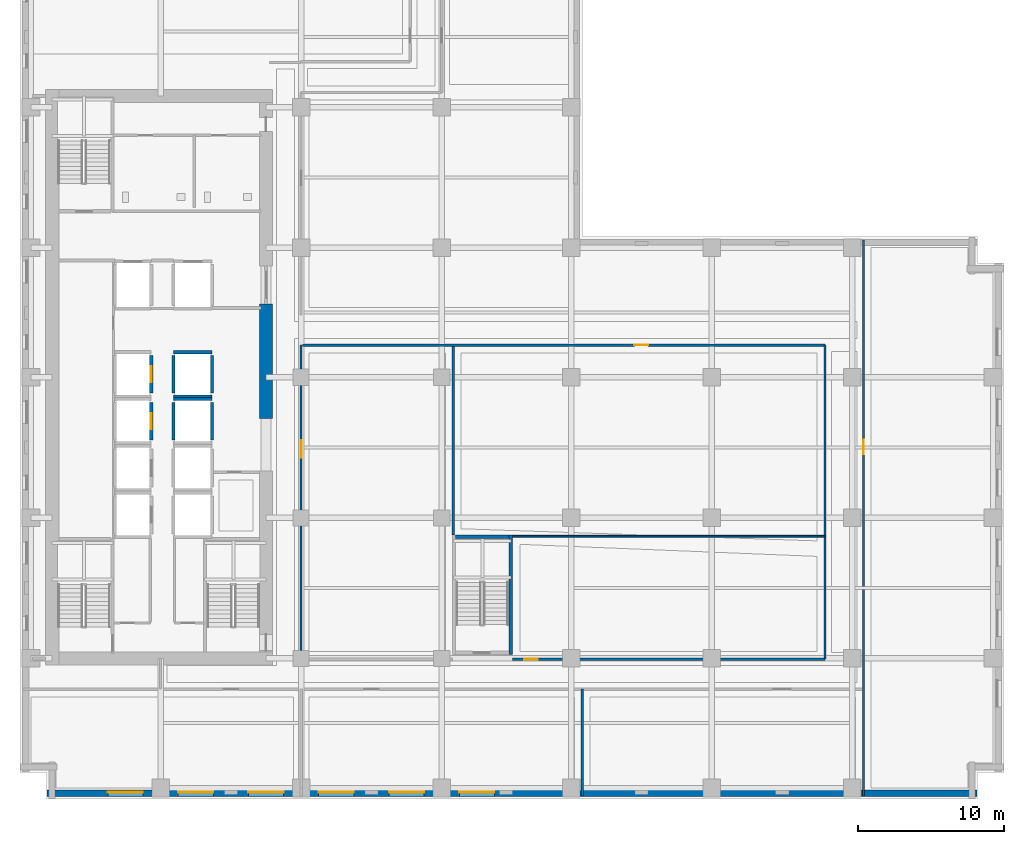
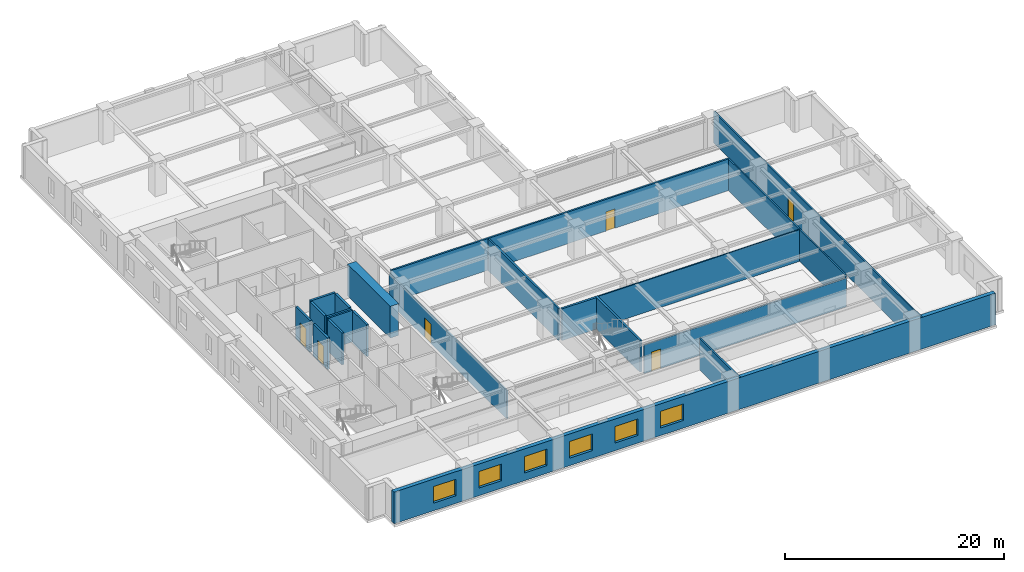
# One storey, part 5 of 13: 21 walls, 6 doors, 6 windows, 12 openings.
"""IFC4 building model written with IfcOpenShell, lengths in metres."""

from ifc_helpers import new_model, si_unit, direction, frame, frame_2d, origin, place, context, subcontext, project, spatial, rectangle, extrude, material, layer, layer_set, type_object, element, fill, save


model = new_model("IFC4")

# Units and contexts
model_context = context("Model", 3, precision=1e-05, world=origin(), true_north=direction((0.0, 1.0)))
body_context = subcontext(model_context, "Body", "Model", "MODEL_VIEW")
ifc_project = project(units=[si_unit("LENGTHUNIT", "METRE"), si_unit("AREAUNIT", "SQUARE_METRE"), si_unit("VOLUMEUNIT", "CUBIC_METRE"), si_unit("PLANEANGLEUNIT", "RADIAN"), si_unit("MASSUNIT", "GRAM", prefix="KILO")], contexts=[model_context])

# Site, building, storey
site_placement = place(None, origin())
site = spatial("IfcSite", under=ifc_project, at=site_placement, CompositionType="ELEMENT")
building_placement = place(site_placement, origin())
building = spatial("IfcBuilding", under=site, at=building_placement, Name="Norrvale University Quadrangle", CompositionType="ELEMENT")
storey_placement = place(building_placement, frame((0.0, 0.0, 47.0)))
storey = spatial("IfcBuildingStorey", under=building, at=storey_placement, Name="L11", CompositionType="ELEMENT", Elevation=47.0)

# Wall, openings, windows
ifc_material_1 = material(Name="Buff Norman Clay Brick Masonry", Category="masonry")
ifc_layer_1 = layer(ifc_material_1, 0.419921875, Name="Buff Norman Clay Brick Masonry")
ifc_layer_set_1 = layer_set([ifc_layer_1], Name="Buff Norman Clay Brick Masonry")
wall_type_1 = type_object("IfcWallType", Name="Wall Buff Brick 420", PredefinedType="SOLIDWALL", material=ifc_layer_set_1)
wall_1_placement = place(storey_placement, frame((1.840087890625, 0.389892578125, 0.0), z_axis=(0.0, 0.0, 1.0), x_axis=(1.0, 0.0, 0.0)))
wall_1 = element("IfcWall", 1, at=wall_1_placement, inside=storey, type_object=wall_type_1, Name="Exterior Brick Facade Wall L11-01.1", PredefinedType="SOLIDWALL", context=body_context, shape_type="SweptSolid", body=[
    extrude(rectangle(XDim=63.52001953125, YDim=0.419921875, at=frame_2d((31.760009765625, 0.0))), origin(), (0.0, 0.0, 1.0), 3.5400390625),
])
opening_1_placement = place(wall_1_placement, frame((4.159912109375, 0.0, 0.85009765625)))
opening_1 = element("IfcOpeningElement", 2, at=opening_1_placement, cuts=wall_1, Name="Opening W02", PredefinedType="OPENING", context=body_context, shape_type="SweptSolid", body=[
    extrude(rectangle(XDim=2.39990234375, YDim=1.85009765625, at=frame_2d((1.199951171875, 0.925048828125))), frame((0.0, 0.221923828125, 0.0), z_axis=(0.0, -1.0, 0.0), x_axis=(1.0, 0.0, 0.0)), (0.0, 0.0, 1.0), 0.44384765625),
])
opening_2_placement = place(wall_1_placement, frame((8.9599609375, 0.0, 0.85009765625)))
opening_2 = element("IfcOpeningElement", 3, at=opening_2_placement, cuts=wall_1, Name="Opening W02", PredefinedType="OPENING", context=body_context, shape_type="SweptSolid", body=[
    extrude(rectangle(XDim=2.39990234375, YDim=1.85009765625, at=frame_2d((1.199951171875, 0.925048828125))), frame((0.0, 0.221923828125, 0.0), z_axis=(0.0, -1.0, 0.0), x_axis=(1.0, 0.0, 0.0)), (0.0, 0.0, 1.0), 0.44384765625),
])
opening_3_placement = place(wall_1_placement, frame((13.760009765625, 0.0, 0.85009765625)))
opening_3 = element("IfcOpeningElement", 4, at=opening_3_placement, cuts=wall_1, Name="Opening W02", PredefinedType="OPENING", context=body_context, shape_type="SweptSolid", body=[
    extrude(rectangle(XDim=2.39990234375, YDim=1.85009765625, at=frame_2d((1.199951171875, 0.925048828125))), frame((0.0, 0.221923828125, 0.0), z_axis=(0.0, -1.0, 0.0), x_axis=(1.0, 0.0, 0.0)), (0.0, 0.0, 1.0), 0.44384765625),
])
opening_4_placement = place(wall_1_placement, frame((18.56005859375, 0.0, 0.85009765625)))
opening_4 = element("IfcOpeningElement", 5, at=opening_4_placement, cuts=wall_1, Name="Opening W02", PredefinedType="OPENING", context=body_context, shape_type="SweptSolid", body=[
    extrude(rectangle(XDim=2.39990234375, YDim=1.85009765625, at=frame_2d((1.199951171875, 0.925048828125))), frame((0.0, 0.221923828125, 0.0), z_axis=(0.0, -1.0, 0.0), x_axis=(1.0, 0.0, 0.0)), (0.0, 0.0, 1.0), 0.44384765625),
])
opening_5_placement = place(wall_1_placement, frame((23.360107421875, 0.0, 0.85009765625)))
opening_5 = element("IfcOpeningElement", 6, at=opening_5_placement, cuts=wall_1, Name="Opening W02", PredefinedType="OPENING", context=body_context, shape_type="SweptSolid", body=[
    extrude(rectangle(XDim=2.39990234375, YDim=1.85009765625, at=frame_2d((1.199951171875, 0.925048828125))), frame((0.0, 0.221923828125, 0.0), z_axis=(0.0, -1.0, 0.0), x_axis=(1.0, 0.0, 0.0)), (0.0, 0.0, 1.0), 0.44384765625),
])
opening_6_placement = place(wall_1_placement, frame((28.159912109375, 0.0, 0.85009765625)))
opening_6 = element("IfcOpeningElement", 7, at=opening_6_placement, cuts=wall_1, Name="Opening W02", PredefinedType="OPENING", context=body_context, shape_type="SweptSolid", body=[
    extrude(rectangle(XDim=2.39990234375, YDim=1.85009765625, at=frame_2d((1.199951171875, 0.925048828125))), frame((0.0, 0.221923828125, 0.0), z_axis=(0.0, -1.0, 0.0), x_axis=(1.0, 0.0, 0.0)), (0.0, 0.0, 1.0), 0.44384765625),
])
ifc_material_2 = material(Name="Triple Low-E Argon Glazing", Category="glass")
window_type = type_object("IfcWindowType", Name="Window Academic 2400x2300", PartitioningType="TRIPLE_PANEL_VERTICAL", PredefinedType="WINDOW", material=ifc_material_2)
window_1_placement = place(opening_1_placement, origin())
window_1 = element("IfcWindow", 8, at=window_1_placement, inside=storey, type_object=window_type, Name="Window Academic 2400x2300 WIN-L11-E01-1-01", OverallHeight=1.85009765625, OverallWidth=2.39990234375, PartitioningType="TRIPLE_PANEL_VERTICAL", PredefinedType="WINDOW", context=body_context, shape_type="SweptSolid", body=[
    extrude(rectangle(XDim=2.39990234375, YDim=1.85009765625, at=frame_2d((1.199951171875, 0.925048828125))), frame((0.0, 0.110107421875, 0.0), z_axis=(0.0, -1.0, 0.0), x_axis=(1.0, 0.0, 0.0)), (0.0, 0.0, 1.0), 0.06005859375),
])
fill(opening_1, window_1)
window_2_placement = place(opening_2_placement, origin())
window_2 = element("IfcWindow", 9, at=window_2_placement, inside=storey, type_object=window_type, Name="Window Academic 2400x2300 WIN-L11-E01-1-02", OverallHeight=1.85009765625, OverallWidth=2.39990234375, PartitioningType="TRIPLE_PANEL_VERTICAL", PredefinedType="WINDOW", context=body_context, shape_type="SweptSolid", body=[
    extrude(rectangle(XDim=2.39990234375, YDim=1.85009765625, at=frame_2d((1.199951171875, 0.925048828125))), frame((0.0, 0.110107421875, 0.0), z_axis=(0.0, -1.0, 0.0), x_axis=(1.0, 0.0, 0.0)), (0.0, 0.0, 1.0), 0.06005859375),
])
fill(opening_2, window_2)
window_3_placement = place(opening_3_placement, origin())
window_3 = element("IfcWindow", 10, at=window_3_placement, inside=storey, type_object=window_type, Name="Window Academic 2400x2300 WIN-L11-E01-1-03", OverallHeight=1.85009765625, OverallWidth=2.39990234375, PartitioningType="TRIPLE_PANEL_VERTICAL", PredefinedType="WINDOW", context=body_context, shape_type="SweptSolid", body=[
    extrude(rectangle(XDim=2.39990234375, YDim=1.85009765625, at=frame_2d((1.199951171875, 0.925048828125))), frame((0.0, 0.110107421875, 0.0), z_axis=(0.0, -1.0, 0.0), x_axis=(1.0, 0.0, 0.0)), (0.0, 0.0, 1.0), 0.06005859375),
])
fill(opening_3, window_3)
window_4_placement = place(opening_4_placement, origin())
window_4 = element("IfcWindow", 11, at=window_4_placement, inside=storey, type_object=window_type, Name="Window Academic 2400x2300 WIN-L11-E01-1-04", OverallHeight=1.85009765625, OverallWidth=2.39990234375, PartitioningType="TRIPLE_PANEL_VERTICAL", PredefinedType="WINDOW", context=body_context, shape_type="SweptSolid", body=[
    extrude(rectangle(XDim=2.39990234375, YDim=1.85009765625, at=frame_2d((1.199951171875, 0.925048828125))), frame((0.0, 0.110107421875, 0.0), z_axis=(0.0, -1.0, 0.0), x_axis=(1.0, 0.0, 0.0)), (0.0, 0.0, 1.0), 0.06005859375),
])
fill(opening_4, window_4)
window_5_placement = place(opening_5_placement, origin())
window_5 = element("IfcWindow", 12, at=window_5_placement, inside=storey, type_object=window_type, Name="Window Academic 2400x2300 WIN-L11-E01-1-05", OverallHeight=1.85009765625, OverallWidth=2.39990234375, PartitioningType="TRIPLE_PANEL_VERTICAL", PredefinedType="WINDOW", context=body_context, shape_type="SweptSolid", body=[
    extrude(rectangle(XDim=2.39990234375, YDim=1.85009765625, at=frame_2d((1.199951171875, 0.925048828125))), frame((0.0, 0.110107421875, 0.0), z_axis=(0.0, -1.0, 0.0), x_axis=(1.0, 0.0, 0.0)), (0.0, 0.0, 1.0), 0.06005859375),
])
fill(opening_5, window_5)
window_6_placement = place(opening_6_placement, origin())
window_6 = element("IfcWindow", 13, at=window_6_placement, inside=storey, type_object=window_type, Name="Window Academic 2400x2300 WIN-L11-E01-1-06", OverallHeight=1.85009765625, OverallWidth=2.39990234375, PartitioningType="TRIPLE_PANEL_VERTICAL", PredefinedType="WINDOW", context=body_context, shape_type="SweptSolid", body=[
    extrude(rectangle(XDim=2.39990234375, YDim=1.85009765625, at=frame_2d((1.199951171875, 0.925048828125))), frame((0.0, 0.110107421875, 0.0), z_axis=(0.0, -1.0, 0.0), x_axis=(1.0, 0.0, 0.0)), (0.0, 0.0, 1.0), 0.06005859375),
])
fill(opening_6, window_6)

# Walls
ifc_material_3 = material(Name="Concrete C80/95", Category="concrete")
ifc_layer_2 = layer(ifc_material_3, 0.89990234375, Name="Concrete C80/95")
ifc_layer_set_2 = layer_set([ifc_layer_2], Name="Concrete C80/95")
wall_type_2 = type_object("IfcWallType", Name="Wall Core 900", PredefinedType="SHEAR", material=ifc_layer_set_2)
wall_2_placement = place(storey_placement, frame((16.800048828125, 26.0, 0.0), z_axis=(0.0, 0.0, 1.0), x_axis=(0.0, 1.0, 0.0)))
element("IfcWall", 14, at=wall_2_placement, inside=storey, type_object=wall_type_2, Name="Tower Core Shear Wall L11-E2", PredefinedType="SHEAR", context=body_context, shape_type="SweptSolid", body=[
    extrude(rectangle(XDim=7.800048828125, YDim=0.89990234375, at=frame_2d((3.89990234375, 0.0))), origin(), (0.0, 0.0, 1.0), 3.5400390625),
])
ifc_material_4 = material(Name="Standard Academic Gypsum Partition")
ifc_layer_3 = layer(ifc_material_4, 0.125, Name="Standard Academic Gypsum Partition")
ifc_layer_set_3 = layer_set([ifc_layer_3], Name="Standard Academic Gypsum Partition")
wall_type_3 = type_object("IfcWallType", Name="Wall Gypsum Academic 125", PredefinedType="PARTITIONING", material=ifc_layer_set_3)
wall_3_placement = place(storey_placement, frame((33.6201171875, 17.93994140625, 0.0), z_axis=(0.0, 0.0, 1.0), x_axis=(1.0, 0.0, 0.0)))
element("IfcWall", 15, at=wall_3_placement, inside=storey, type_object=wall_type_3, Name="Interior Partition WL-L11-ISLH", PredefinedType="PARTITIONING", context=body_context, shape_type="SweptSolid", body=[
    extrude(rectangle(XDim=21.35498046875, YDim=0.125, at=frame_2d((10.677490234375, 0.0))), origin(), (0.0, 0.0, 1.0), 3.5400390625),
])

# Wall, opening, door
ifc_material_5 = material(Name="Fire-Rated Gypsum Stud Partition")
ifc_layer_4 = layer(ifc_material_5, 0.14990234375, Name="Fire-Rated Gypsum Stud Partition")
ifc_layer_set_4 = layer_set([ifc_layer_4], Name="Fire-Rated Gypsum Stud Partition")
wall_type_4 = type_object("IfcWallType", Name="Wall Gypsum Corridor 150", PredefinedType="PARTITIONING", material=ifc_layer_set_4)
wall_4_placement = place(storey_placement, frame((57.60009765625, 0.219970703125, 0.0), z_axis=(0.0, 0.0, 1.0), x_axis=(0.0, 1.0, 0.0)))
wall_4 = element("IfcWall", 16, at=wall_4_placement, inside=storey, type_object=wall_type_4, Name="Interior Partition WL-L11-ECW", PredefinedType="PARTITIONING", context=body_context, shape_type="SweptSolid", body=[
    extrude(rectangle(XDim=37.9599609375, YDim=0.14990234375, at=frame_2d((18.97998046875, 0.0))), origin(), (0.0, 0.0, 1.0), 3.5400390625),
])
opening_7_placement = place(wall_4_placement, frame((23.330078125, 0.0, 0.0)))
opening_7 = element("IfcOpeningElement", 17, at=opening_7_placement, cuts=wall_4, Name="Opening D04", PredefinedType="OPENING", context=body_context, shape_type="SweptSolid", body=[
    extrude(rectangle(XDim=1.0, YDim=2.199951171875, at=frame_2d((0.5, 1.10009765625))), frame((0.0, 0.0869140625, 0.0), z_axis=(0.0, -1.0, 0.0), x_axis=(1.0, 0.0, 0.0)), (0.0, 0.0, 1.0), 0.173828125),
])
ifc_material_6 = material(Name="Solid-Core Oak Fire Door", Category="wood")
door_type_1 = type_object("IfcDoorType", Name="Door Corridor 1000x2200", OperationType="NOTDEFINED", PredefinedType="DOOR", material=ifc_material_6)
door_1_placement = place(opening_7_placement, origin())
door_1 = element("IfcDoor", 18, at=door_1_placement, inside=storey, type_object=door_type_1, Name="Door Corridor 1000x2200 DR-L11-E01", OperationType="SINGLE_SWING_RIGHT", OverallHeight=2.199951171875, OverallWidth=1.0, PredefinedType="DOOR", context=body_context, shape_type="SweptSolid", body=[
    extrude(rectangle(XDim=1.0, YDim=2.199951171875, at=frame_2d((0.5, 1.10009765625))), frame((0.0, 0.02490234375, 0.0), z_axis=(0.0, -1.0, 0.0), x_axis=(1.0, 0.0, 0.0)), (0.0, 0.0, 1.0), 0.050048828125),
])
fill(opening_7, door_1)

wall_5_placement = place(storey_placement, frame((19.199951171875, 9.550048828125, 0.0), z_axis=(0.0, 0.0, 1.0), x_axis=(0.0, 1.0, 0.0)))
wall_5 = element("IfcWall", 19, at=wall_5_placement, inside=storey, type_object=wall_type_4, Name="Interior Partition WL-L11-ISLW", PredefinedType="PARTITIONING", context=body_context, shape_type="SweptSolid", body=[
    extrude(rectangle(XDim=21.449951171875, YDim=0.14990234375, at=frame_2d((10.72509765625, 0.0))), origin(), (0.0, 0.0, 1.0), 3.18408203125),
])
opening_8_placement = place(wall_5_placement, frame((13.75, 0.0, 0.0)))
opening_8 = element("IfcOpeningElement", 20, at=opening_8_placement, cuts=wall_5, Name="Opening D05", PredefinedType="OPENING", context=body_context, shape_type="SweptSolid", body=[
    extrude(rectangle(XDim=1.199951171875, YDim=2.199951171875, at=frame_2d((0.60009765625, 1.10009765625))), frame((0.0, 0.0869140625, 0.0), z_axis=(0.0, -1.0, 0.0), x_axis=(1.0, 0.0, 0.0)), (0.0, 0.0, 1.0), 0.173828125),
])
ifc_material_7 = material(Name="Acoustic Oak Classroom Door", Category="wood")
door_type_2 = type_object("IfcDoorType", Name="Door Classroom 1200x2200", OperationType="NOTDEFINED", PredefinedType="DOOR", material=ifc_material_7)
door_2_placement = place(opening_8_placement, origin())
door_2 = element("IfcDoor", 21, at=door_2_placement, inside=storey, type_object=door_type_2, Name="Door Classroom 1200x2200 DR-L11-IW1", OperationType="SINGLE_SWING_LEFT", OverallHeight=2.199951171875, OverallWidth=1.199951171875, PredefinedType="DOOR", context=body_context, shape_type="SweptSolid", body=[
    extrude(rectangle(XDim=1.199951171875, YDim=2.199951171875, at=frame_2d((0.60009765625, 1.10009765625))), frame((0.0, 0.02490234375, 0.0), z_axis=(0.0, -1.0, 0.0), x_axis=(1.0, 0.0, 0.0)), (0.0, 0.0, 1.0), 0.050048828125),
])
fill(opening_8, door_2)

wall_6_placement = place(storey_placement, frame((33.6201171875, 9.550048828125, 0.0), z_axis=(0.0, 0.0, 1.0), x_axis=(1.0, 0.0, 0.0)))
wall_6 = element("IfcWall", 22, at=wall_6_placement, inside=storey, type_object=wall_type_4, Name="Interior Partition WL-L11-ISLS2", PredefinedType="PARTITIONING", context=body_context, shape_type="SweptSolid", body=[
    extrude(rectangle(XDim=21.35498046875, YDim=0.14990234375, at=frame_2d((10.677490234375, 0.0))), origin(), (0.0, 0.0, 1.0), 3.18408203125),
])
opening_9_placement = place(wall_6_placement, frame((0.800048828125, 0.0, 0.0)))
opening_9 = element("IfcOpeningElement", 23, at=opening_9_placement, cuts=wall_6, Name="Opening D07", PredefinedType="OPENING", context=body_context, shape_type="SweptSolid", body=[
    extrude(rectangle(XDim=0.949951171875, YDim=2.14990234375, at=frame_2d((0.47509765625, 1.074951171875))), frame((0.0, 0.0869140625, 0.0), z_axis=(0.0, -1.0, 0.0), x_axis=(1.0, 0.0, 0.0)), (0.0, 0.0, 1.0), 0.173828125),
])
ifc_material_8 = material(Name="Solid-Core Maple Door", Category="wood")
door_type_3 = type_object("IfcDoorType", Name="Door Office 950x2150", OperationType="NOTDEFINED", PredefinedType="DOOR", material=ifc_material_8)
door_3_placement = place(opening_9_placement, origin())
door_3 = element("IfcDoor", 24, at=door_3_placement, inside=storey, type_object=door_type_3, Name="Door Office 950x2150 DR-L11-ISE", OperationType="SINGLE_SWING_LEFT", OverallHeight=2.14990234375, OverallWidth=0.949951171875, PredefinedType="DOOR", context=body_context, shape_type="SweptSolid", body=[
    extrude(rectangle(XDim=0.949951171875, YDim=2.14990234375, at=frame_2d((0.47509765625, 1.074951171875))), frame((0.0, 0.02490234375, 0.0), z_axis=(0.0, -1.0, 0.0), x_axis=(1.0, 0.0, 0.0)), (0.0, 0.0, 1.0), 0.050048828125),
])
fill(opening_9, door_3)

# Walls
wall_7_placement = place(storey_placement, frame((54.97509765625, 9.550048828125, 0.0), z_axis=(0.0, 0.0, 1.0), x_axis=(0.0, 1.0, 0.0)))
element("IfcWall", 25, at=wall_7_placement, inside=storey, type_object=wall_type_4, Name="Interior Partition WL-L11-ISLE", PredefinedType="PARTITIONING", context=body_context, shape_type="SweptSolid", body=[
    extrude(rectangle(XDim=21.449951171875, YDim=0.14990234375, at=frame_2d((10.72509765625, 0.0))), origin(), (0.0, 0.0, 1.0), 3.5400390625),
])
ifc_material_9 = material(Name="Acoustic Double-Stud Gypsum Partition")
ifc_layer_5 = layer(ifc_material_9, 0.179931640625, Name="Acoustic Double-Stud Gypsum Partition")
ifc_layer_set_5 = layer_set([ifc_layer_5], Name="Acoustic Double-Stud Gypsum Partition")
wall_type_5 = type_object("IfcWallType", Name="Wall Gypsum Lecture 180", PredefinedType="PARTITIONING", material=ifc_layer_set_5)
wall_8_placement = place(storey_placement, frame((29.580078125, 18.02490234375, 0.0), z_axis=(0.0, 0.0, 1.0), x_axis=(0.0, 1.0, 0.0)))
element("IfcWall", 26, at=wall_8_placement, inside=storey, type_object=wall_type_5, Name="Interior Partition WL-L11-ISLD", PredefinedType="PARTITIONING", context=body_context, shape_type="SweptSolid", body=[
    extrude(rectangle(XDim=12.880126953125, YDim=0.179931640625, at=frame_2d((6.43994140625, 0.0))), origin(), (0.0, 0.0, 1.0), 3.5400390625),
])

# Wall, opening, door
wall_9_placement = place(storey_placement, frame((19.280029296875, 31.0, 0.0), z_axis=(0.0, 0.0, 1.0), x_axis=(1.0, 0.0, 0.0)))
wall_9 = element("IfcWall", 27, at=wall_9_placement, inside=storey, type_object=wall_type_5, Name="Interior Partition WL-L11-ISLN", PredefinedType="PARTITIONING", context=body_context, shape_type="SweptSolid", body=[
    extrude(rectangle(XDim=35.695068359375, YDim=0.179931640625, at=frame_2d((17.84765625, 0.0))), origin(), (0.0, 0.0, 1.0), 3.5400390625),
])
opening_10_placement = place(wall_9_placement, frame((22.669921875, 0.0, 0.0)))
opening_10 = element("IfcOpeningElement", 28, at=opening_10_placement, cuts=wall_9, Name="Opening D07", PredefinedType="OPENING", context=body_context, shape_type="SweptSolid", body=[
    extrude(rectangle(XDim=0.949951171875, YDim=2.14990234375, at=frame_2d((0.47509765625, 1.074951171875))), frame((0.0, 0.10205078125, 0.0), z_axis=(0.0, -1.0, 0.0), x_axis=(1.0, 0.0, 0.0)), (0.0, 0.0, 1.0), 0.203857421875),
])
door_4_placement = place(opening_10_placement, origin())
door_4 = element("IfcDoor", 29, at=door_4_placement, inside=storey, type_object=door_type_3, Name="Door Office 950x2150 DR-L11-ILH", OperationType="SINGLE_SWING_RIGHT", OverallHeight=2.14990234375, OverallWidth=0.949951171875, PredefinedType="DOOR", context=body_context, shape_type="SweptSolid", body=[
    extrude(rectangle(XDim=0.949951171875, YDim=2.14990234375, at=frame_2d((0.47509765625, 1.074951171875))), frame((0.0, 0.02490234375, 0.0), z_axis=(0.0, -1.0, 0.0), x_axis=(1.0, 0.0, 0.0)), (0.0, 0.0, 1.0), 0.050048828125),
])
fill(opening_10, door_4)

# Walls
ifc_material_10 = material(Name="Sanitary Chase Gypsum Partition")
ifc_layer_6 = layer(ifc_material_10, 0.1650390625, Name="Sanitary Chase Gypsum Partition")
ifc_layer_set_6 = layer_set([ifc_layer_6], Name="Sanitary Chase Gypsum Partition")
wall_type_6 = type_object("IfcWallType", Name="Wall Gypsum Sanitary 165", PredefinedType="PLUMBINGWALL", material=ifc_layer_set_6)
wall_10_placement = place(storey_placement, frame((38.39990234375, 0.219970703125, 0.0), z_axis=(0.0, 0.0, 1.0), x_axis=(0.0, 1.0, 0.0)))
element("IfcWall", 30, at=wall_10_placement, inside=storey, type_object=wall_type_6, Name="Interior Partition WL-L11-SP02", PredefinedType="PLUMBINGWALL", context=body_context, shape_type="SweptSolid", body=[
    extrude(rectangle(XDim=7.280029296875, YDim=0.1650390625, at=frame_2d((3.64013671875, 0.0))), origin(), (0.0, 0.0, 1.0), 3.5400390625),
])
ifc_material_11 = material(Name="Concrete Blockwork 20 MPa Fire Shaft", Category="masonry")
ifc_layer_7 = layer(ifc_material_11, 0.219970703125, Name="Concrete Blockwork 20 MPa Fire Shaft")
ifc_layer_set_7 = layer_set([ifc_layer_7], Name="Concrete Blockwork 20 MPa Fire Shaft")
wall_type_7 = type_object("IfcWallType", Name="Wall Shaft 220", PredefinedType="SOLIDWALL", material=ifc_layer_set_7)
wall_11_placement = place(storey_placement, frame((33.510009765625, 9.8798828125, 0.0), z_axis=(0.0, 0.0, 1.0), x_axis=(0.0, 1.0, 0.0)))
element("IfcWall", 31, at=wall_11_placement, inside=storey, type_object=wall_type_7, Name="Stair ST-04 East Shaft Wall L11", PredefinedType="SOLIDWALL", context=body_context, shape_type="SweptSolid", body=[
    extrude(rectangle(XDim=8.14013671875, YDim=0.219970703125, at=frame_2d((4.070068359375, 0.0))), origin(), (0.0, 0.0, 1.0), 3.5400390625),
])
wall_12_placement = place(storey_placement, frame((29.75, 17.909912109375, 0.0), z_axis=(0.0, 0.0, 1.0), x_axis=(1.0, 0.0, 0.0)))
element("IfcWall", 32, at=wall_12_placement, inside=storey, type_object=wall_type_7, Name="Stair ST-04 North Shaft Wall L11", PredefinedType="SOLIDWALL", context=body_context, shape_type="SweptSolid", body=[
    extrude(rectangle(XDim=3.64990234375, YDim=0.219970703125, at=frame_2d((1.824951171875, 0.0))), origin(), (0.0, 0.0, 1.0), 3.5400390625),
])

# Wall, opening, door
wall_13_placement = place(storey_placement, frame((8.9599609375, 24.510009765625, 0.0), z_axis=(0.0, 0.0, 1.0), x_axis=(0.0, 1.0, 0.0)))
wall_13 = element("IfcWall", 33, at=wall_13_placement, inside=storey, type_object=wall_type_7, Name="Hoistway PL-03 East Wall L11", PredefinedType="SOLIDWALL", context=body_context, shape_type="SweptSolid", body=[
    extrude(rectangle(XDim=2.580078125, YDim=0.219970703125, at=frame_2d((1.2900390625, 0.0))), origin(), (0.0, 0.0, 1.0), 3.5400390625),
])
opening_11_placement = place(wall_13_placement, frame((0.739990234375, 0.0, 0.0)))
opening_11 = element("IfcOpeningElement", 34, at=opening_11_placement, cuts=wall_13, Name="Opening LD1", PredefinedType="OPENING", context=body_context, shape_type="SweptSolid", body=[
    extrude(rectangle(XDim=1.10009765625, YDim=2.199951171875, at=frame_2d((0.550048828125, 1.10009765625))), frame((0.0, 0.1220703125, 0.0), z_axis=(0.0, -1.0, 0.0), x_axis=(1.0, 0.0, 0.0)), (0.0, 0.0, 1.0), 0.243896484375),
])
ifc_material_12 = material(Name="Stainless Steel 316L Lift Landing Door", Category="steel")
door_type_4 = type_object("IfcDoorType", Name="Door Lift Landing 1100x2200", OperationType="DOUBLE_DOOR_SLIDING", PredefinedType="DOOR", material=ifc_material_12)
door_5_placement = place(opening_11_placement, origin())
door_5 = element("IfcDoor", 35, at=door_5_placement, inside=storey, type_object=door_type_4, Name="Elevator Landing Door DR-L11-PL-03", OperationType="DOUBLE_DOOR_SLIDING", OverallHeight=2.199951171875, OverallWidth=1.10009765625, PredefinedType="DOOR", context=body_context, shape_type="SweptSolid", body=[
    extrude(rectangle(XDim=1.10009765625, YDim=2.199951171875, at=frame_2d((0.550048828125, 1.10009765625))), frame((0.0, 0.02490234375, 0.0), z_axis=(0.0, -1.0, 0.0), x_axis=(1.0, 0.0, 0.0)), (0.0, 0.0, 1.0), 0.050048828125),
])
fill(opening_11, door_5)

wall_14_placement = place(storey_placement, frame((8.9599609375, 27.7099609375, 0.0), z_axis=(0.0, 0.0, 1.0), x_axis=(0.0, 1.0, 0.0)))
wall_14 = element("IfcWall", 36, at=wall_14_placement, inside=storey, type_object=wall_type_7, Name="Hoistway PL-04 East Wall L11", PredefinedType="SOLIDWALL", context=body_context, shape_type="SweptSolid", body=[
    extrude(rectangle(XDim=2.580078125, YDim=0.219970703125, at=frame_2d((1.2900390625, 0.0))), origin(), (0.0, 0.0, 1.0), 3.5400390625),
])
opening_12_placement = place(wall_14_placement, frame((0.739990234375, 0.0, 0.0)))
opening_12 = element("IfcOpeningElement", 37, at=opening_12_placement, cuts=wall_14, Name="Opening LD1", PredefinedType="OPENING", context=body_context, shape_type="SweptSolid", body=[
    extrude(rectangle(XDim=1.10009765625, YDim=2.199951171875, at=frame_2d((0.550048828125, 1.10009765625))), frame((0.0, 0.1220703125, 0.0), z_axis=(0.0, -1.0, 0.0), x_axis=(1.0, 0.0, 0.0)), (0.0, 0.0, 1.0), 0.243896484375),
])
door_6_placement = place(opening_12_placement, origin())
door_6 = element("IfcDoor", 38, at=door_6_placement, inside=storey, type_object=door_type_4, Name="Elevator Landing Door DR-L11-PL-04", OperationType="DOUBLE_DOOR_SLIDING", OverallHeight=2.199951171875, OverallWidth=1.10009765625, PredefinedType="DOOR", context=body_context, shape_type="SweptSolid", body=[
    extrude(rectangle(XDim=1.10009765625, YDim=2.199951171875, at=frame_2d((0.550048828125, 1.10009765625))), frame((0.0, 0.02490234375, 0.0), z_axis=(0.0, -1.0, 0.0), x_axis=(1.0, 0.0, 0.0)), (0.0, 0.0, 1.0), 0.050048828125),
])
fill(opening_12, door_6)

# Walls
for number, where, z_axis, x_axis, name in (
    (39, (10.489990234375, 24.510009765625, 0.0), (0.0, 0.0, 1.0), (0.0, 1.0, 0.0), "Hoistway PL-07 West Wall L11"),
    (40, (13.110107421875, 24.510009765625, 0.0), (0.0, 0.0, 1.0), (0.0, 1.0, 0.0), "Hoistway PL-07 East Wall L11"),
):
    element("IfcWall", number, at=place(storey_placement, frame(where, z_axis=z_axis, x_axis=x_axis)), inside=storey, type_object=wall_type_7, Name=name, PredefinedType="SOLIDWALL", context=body_context, shape_type="SweptSolid", body=[
        extrude(rectangle(XDim=2.580078125, YDim=0.219970703125, at=frame_2d((1.2900390625, 0.0))), origin(), (0.0, 0.0, 1.0), 3.5400390625),
    ])
wall_15_placement = place(storey_placement, frame((10.489990234375, 27.31005859375, 0.0), z_axis=(0.0, 0.0, 1.0), x_axis=(1.0, 0.0, 0.0)))
element("IfcWall", 41, at=wall_15_placement, inside=storey, type_object=wall_type_7, Name="Hoistway PL-07 North Wall L11", PredefinedType="SOLIDWALL", context=body_context, shape_type="SweptSolid", body=[
    extrude(rectangle(XDim=2.6201171875, YDim=0.219970703125, at=frame_2d((1.31005859375, 0.0))), origin(), (0.0, 0.0, 1.0), 3.5400390625),
])
for number, where, z_axis, x_axis, name in (
    (42, (10.489990234375, 27.7099609375, 0.0), (0.0, 0.0, 1.0), (0.0, 1.0, 0.0), "Hoistway PL-08 West Wall L11"),
    (43, (13.110107421875, 27.7099609375, 0.0), (0.0, 0.0, 1.0), (0.0, 1.0, 0.0), "Hoistway PL-08 East Wall L11"),
):
    element("IfcWall", number, at=place(storey_placement, frame(where, z_axis=z_axis, x_axis=x_axis)), inside=storey, type_object=wall_type_7, Name=name, PredefinedType="SOLIDWALL", context=body_context, shape_type="SweptSolid", body=[
        extrude(rectangle(XDim=2.580078125, YDim=0.219970703125, at=frame_2d((1.2900390625, 0.0))), origin(), (0.0, 0.0, 1.0), 3.5400390625),
    ])
for number, where, z_axis, x_axis, name in (
    (44, (10.489990234375, 27.489990234375, 0.0), (0.0, 0.0, 1.0), (1.0, 0.0, 0.0), "Hoistway PL-08 South Wall L11"),
    (45, (10.489990234375, 30.510009765625, 0.0), (0.0, 0.0, 1.0), (1.0, 0.0, 0.0), "Hoistway PL-08 North Wall L11"),
):
    element("IfcWall", number, at=place(storey_placement, frame(where, z_axis=z_axis, x_axis=x_axis)), inside=storey, type_object=wall_type_7, Name=name, PredefinedType="SOLIDWALL", context=body_context, shape_type="SweptSolid", body=[
        extrude(rectangle(XDim=2.6201171875, YDim=0.219970703125, at=frame_2d((1.31005859375, 0.0))), origin(), (0.0, 0.0, 1.0), 3.5400390625),
    ])

save(model, "model.ifc")
